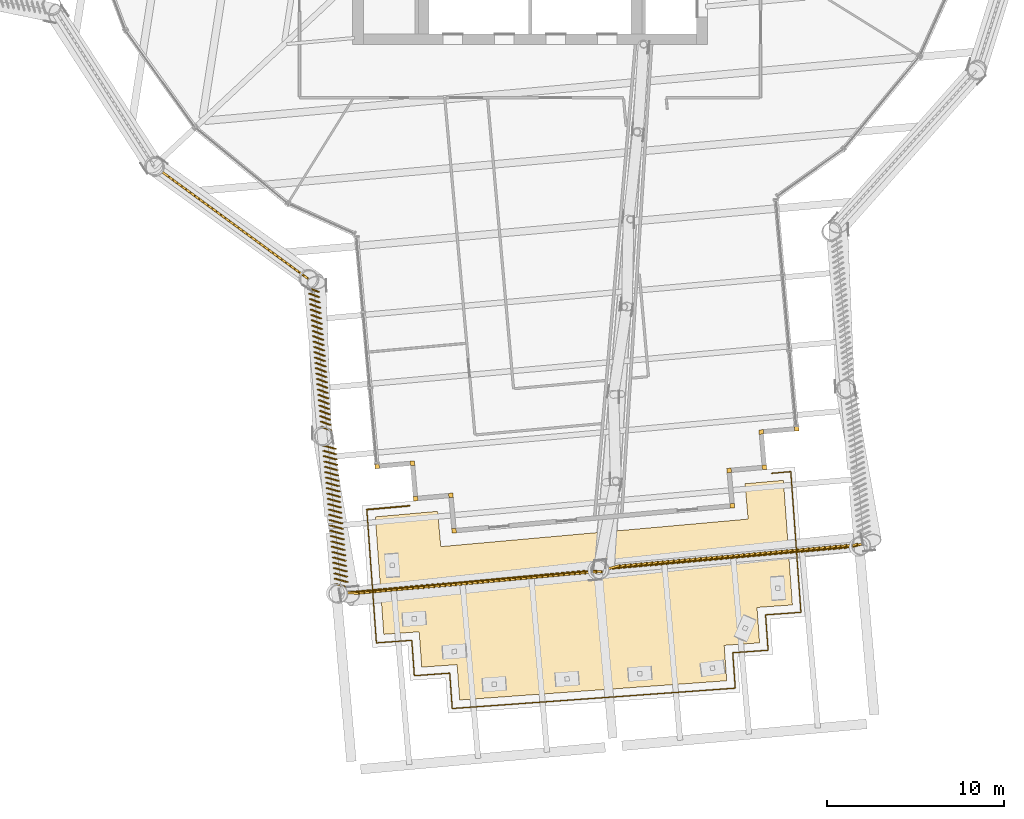
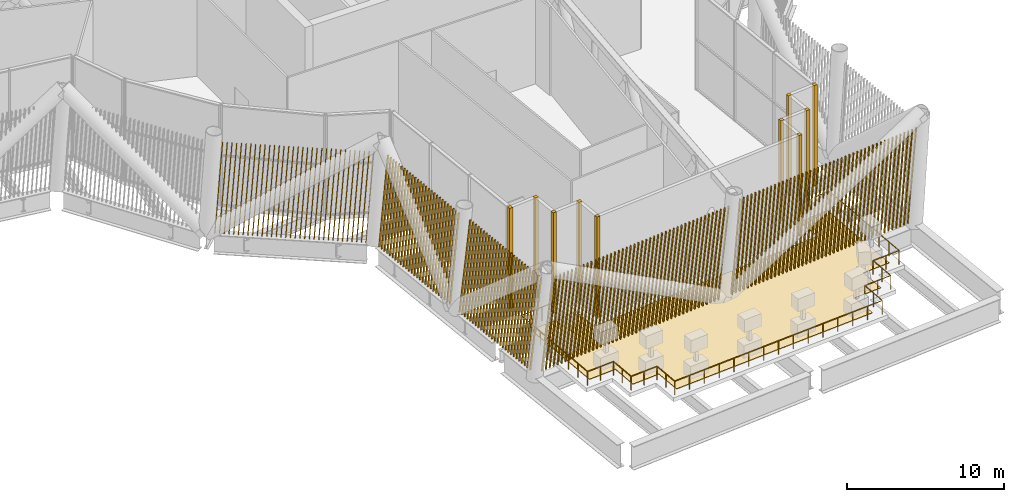
# One storey, part 48 of 55: 15 shading devices, 2 railings, 1 covering.
"""IFC4 building model written with IfcOpenShell, lengths in metres."""

from ifc_helpers import new_model, si_unit, direction, frame, frame_2d, origin, origin_2d, place, context, subcontext, project, spatial, polyline, rectangle, circle, outline, composite_profile, extrude, material, layer, layer_set, type_object, element, save


model = new_model("IFC4")

# Units and contexts
model_context = context("Model", 3, precision=1e-05, world=origin(), true_north=direction((0.0, 1.0)))
body_context = subcontext(model_context, "Body", "Model", "MODEL_VIEW")
ifc_project = project(units=[si_unit("LENGTHUNIT", "METRE"), si_unit("AREAUNIT", "SQUARE_METRE"), si_unit("VOLUMEUNIT", "CUBIC_METRE"), si_unit("PLANEANGLEUNIT", "RADIAN"), si_unit("MASSUNIT", "GRAM", prefix="KILO")], contexts=[model_context])

# Site, building, storey
site_placement = place(None, origin())
site = spatial("IfcSite", under=ifc_project, at=site_placement, CompositionType="ELEMENT")
building_placement = place(site_placement, origin())
building = spatial("IfcBuilding", under=site, at=building_placement, Name="Tarsis Ring Headquarters", CompositionType="ELEMENT")
storey_placement = place(building_placement, frame((0.0, 0.0, 247.199951171875)))
storey = spatial("IfcBuildingStorey", under=building, at=storey_placement, Name="L58", CompositionType="ELEMENT", Elevation=247.199951171875)

# Railings
ifc_material_1 = material(Name="Stainless steel guard", Category="steel")
railing_type = type_object("IfcRailingType", Name="Guard rail with mesh infill 1100", PredefinedType="GUARDRAIL", material=ifc_material_1)
railing_1_placement = place(storey_placement, frame((-9.205322265625, -39.22802734375, 0.0)))
element("IfcRailing", 1, at=railing_1_placement, inside=storey, type_object=railing_type, Name="Terrace guard L58-1.1", PredefinedType="GUARDRAIL", context=body_context, shape_type="SweptSolid", body=[
    extrude(circle(Radius=0.030029296875, at=origin_2d()), frame((0.0, 0.0, 1.070068359375), z_axis=(0.996012820761, 0.089210206146, 0.0), x_axis=(-0.089210206146, 0.996012820761, 0.0)), (0.0, 0.0, 1.0), 2.4248046875),
    extrude(circle(Radius=0.02490234375, at=origin_2d()), origin(), (0.0, 0.0, 1.0), 1.0400390625),
    extrude(circle(Radius=0.02490234375, at=origin_2d()), frame((0.804931640625, 0.072021484375, 0.0)), (0.0, 0.0, 1.0), 1.0400390625),
    extrude(circle(Radius=0.02490234375, at=origin_2d()), frame((1.610107421875, 0.144287109375, 0.0)), (0.0, 0.0, 1.0), 1.0400390625),
    extrude(circle(Radius=0.02490234375, at=origin_2d()), frame((2.4150390625, 0.21630859375, 0.0)), (0.0, 0.0, 1.0), 1.0400390625),
])
railing_2_placement = place(storey_placement, frame((13.617431640625, -37.18310546875, 0.0)))
element("IfcRailing", 2, at=railing_2_placement, inside=storey, type_object=railing_type, Name="Terrace guard L58-1.2", PredefinedType="GUARDRAIL", context=body_context, shape_type="SweptSolid", body=[
    extrude(circle(Radius=0.030029296875, at=origin_2d()), frame((0.0, 0.0, 1.070068359375), z_axis=(0.996013561583, 0.089201934633, 0.0), x_axis=(-0.089201934633, 0.996013561583, 0.0)), (0.0, 0.0, 1.0), 1.08935546875),
    extrude(circle(Radius=0.030029296875, at=origin_2d()), frame((1.0849609375, 0.09716796875, 1.070068359375), z_axis=(0.071857827462, -0.997414884906, 0.0), x_axis=(0.997414884906, 0.071857827462, 0.0)), (0.0, 0.0, 1.0), 7.95361328125),
    extrude(circle(Radius=0.030029296875, at=origin_2d()), frame((1.656494140625, -7.8359375, 1.070068359375), z_axis=(-0.997420761639, -0.071776209502, 0.0), x_axis=(0.071776209502, -0.997420761639, 0.0)), (0.0, 0.0, 1.0), 2.0),
    extrude(circle(Radius=0.030029296875, at=origin_2d()), frame((-0.33837890625, -7.9794921875, 1.070068359375), z_axis=(0.071897647414, -0.997412015316, 0.0), x_axis=(0.997412015316, 0.071897647414, 0.0)), (0.0, 0.0, 1.0), 2.0),
    extrude(circle(Radius=0.030029296875, at=origin_2d()), frame((-0.194580078125, -9.974365234375, 1.070068359375), z_axis=(-0.997412015316, -0.071897647414, 0.0), x_axis=(0.071897647414, -0.997412015316, 0.0)), (0.0, 0.0, 1.0), 2.0),
    extrude(circle(Radius=0.030029296875, at=origin_2d()), frame((-2.189453125, -10.1181640625, 1.070068359375), z_axis=(0.071776209502, -0.997420761639, 0.0), x_axis=(0.997420761639, 0.071776209502, 0.0)), (0.0, 0.0, 1.0), 2.0),
    extrude(circle(Radius=0.030029296875, at=origin_2d()), frame((-2.0458984375, -12.113037109375, 1.070068359375), z_axis=(-0.997416232815, -0.071839115505, 0.0), x_axis=(0.071839115505, -0.997416232815, 0.0)), (0.0, 0.0, 1.0), 15.999755859375),
    extrude(circle(Radius=0.030029296875, at=origin_2d()), frame((-18.00439453125, -13.262451171875, 1.070068359375), z_axis=(-0.071897647414, 0.997412015316, 0.0), x_axis=(-0.997412015316, -0.071897647414, 0.0)), (0.0, 0.0, 1.0), 2.0),
    extrude(circle(Radius=0.030029296875, at=origin_2d()), frame((-18.148193359375, -11.267578125, 1.070068359375), z_axis=(-0.997412015316, -0.071897647414, 0.0), x_axis=(0.071897647414, -0.997412015316, 0.0)), (0.0, 0.0, 1.0), 2.0),
    extrude(circle(Radius=0.030029296875, at=origin_2d()), frame((-20.14306640625, -11.411376953125, 1.070068359375), z_axis=(-0.071776209502, 0.997420761639, 0.0), x_axis=(-0.997420761639, -0.071776209502, 0.0)), (0.0, 0.0, 1.0), 2.0),
    extrude(circle(Radius=0.030029296875, at=origin_2d()), frame((-20.28662109375, -9.41650390625, 1.070068359375), z_axis=(-0.997420761639, -0.071776209502, 0.0), x_axis=(0.071776209502, -0.997420761639, 0.0)), (0.0, 0.0, 1.0), 2.0),
    extrude(circle(Radius=0.030029296875, at=origin_2d()), frame((-22.281494140625, -9.56005859375, 1.070068359375), z_axis=(-0.071836534348, 0.99741641872, 0.0), x_axis=(-0.99741641872, -0.071836534348, 0.0)), (0.0, 0.0, 1.0), 7.53466796875),
    extrude(circle(Radius=0.02490234375, at=origin_2d()), origin(), (0.0, 0.0, 1.0), 1.0400390625),
    extrude(circle(Radius=0.02490234375, at=origin_2d()), frame((1.0849609375, 0.09716796875, 0.0)), (0.0, 0.0, 1.0), 1.0400390625),
    extrude(circle(Radius=0.02490234375, at=origin_2d()), frame((1.16650390625, -1.0361328125, 0.0)), (0.0, 0.0, 1.0), 1.0400390625),
    extrude(circle(Radius=0.02490234375, at=origin_2d()), frame((1.248291015625, -2.16943359375, 0.0)), (0.0, 0.0, 1.0), 1.0400390625),
    extrude(circle(Radius=0.02490234375, at=origin_2d()), frame((1.329833984375, -3.302734375, 0.0)), (0.0, 0.0, 1.0), 1.0400390625),
    extrude(circle(Radius=0.02490234375, at=origin_2d()), frame((1.41162109375, -4.43603515625, 0.0)), (0.0, 0.0, 1.0), 1.0400390625),
    extrude(circle(Radius=0.02490234375, at=origin_2d()), frame((1.4931640625, -5.5693359375, 0.0)), (0.0, 0.0, 1.0), 1.0400390625),
    extrude(circle(Radius=0.02490234375, at=origin_2d()), frame((1.574951171875, -6.70263671875, 0.0)), (0.0, 0.0, 1.0), 1.0400390625),
    extrude(circle(Radius=0.02490234375, at=origin_2d()), frame((1.656494140625, -7.8359375, 0.0)), (0.0, 0.0, 1.0), 1.0400390625),
    extrude(circle(Radius=0.02490234375, at=origin_2d()), frame((0.6591796875, -7.90771484375, 0.0)), (0.0, 0.0, 1.0), 1.0400390625),
    extrude(circle(Radius=0.02490234375, at=origin_2d()), frame((-0.33837890625, -7.9794921875, 0.0)), (0.0, 0.0, 1.0), 1.0400390625),
    extrude(circle(Radius=0.02490234375, at=origin_2d()), frame((-0.2666015625, -8.97705078125, 0.0)), (0.0, 0.0, 1.0), 1.0400390625),
    extrude(circle(Radius=0.02490234375, at=origin_2d()), frame((-0.194580078125, -9.974365234375, 0.0)), (0.0, 0.0, 1.0), 1.0400390625),
    extrude(circle(Radius=0.02490234375, at=origin_2d()), frame((-1.19189453125, -10.04638671875, 0.0)), (0.0, 0.0, 1.0), 1.0400390625),
    extrude(circle(Radius=0.02490234375, at=origin_2d()), frame((-2.189453125, -10.1181640625, 0.0)), (0.0, 0.0, 1.0), 1.0400390625),
    extrude(circle(Radius=0.02490234375, at=origin_2d()), frame((-2.11767578125, -11.11572265625, 0.0)), (0.0, 0.0, 1.0), 1.0400390625),
    extrude(circle(Radius=0.02490234375, at=origin_2d()), frame((-2.0458984375, -12.113037109375, 0.0)), (0.0, 0.0, 1.0), 1.0400390625),
    extrude(circle(Radius=0.02490234375, at=origin_2d()), frame((-3.185791015625, -12.195068359375, 0.0)), (0.0, 0.0, 1.0), 1.0400390625),
    extrude(circle(Radius=0.02490234375, at=origin_2d()), frame((-4.32568359375, -12.27734375, 0.0)), (0.0, 0.0, 1.0), 1.0400390625),
    extrude(circle(Radius=0.02490234375, at=origin_2d()), frame((-5.465576171875, -12.359375, 0.0)), (0.0, 0.0, 1.0), 1.0400390625),
    extrude(circle(Radius=0.02490234375, at=origin_2d()), frame((-6.60546875, -12.44140625, 0.0)), (0.0, 0.0, 1.0), 1.0400390625),
    extrude(circle(Radius=0.02490234375, at=origin_2d()), frame((-7.745361328125, -12.5234375, 0.0)), (0.0, 0.0, 1.0), 1.0400390625),
    extrude(circle(Radius=0.02490234375, at=origin_2d()), frame((-8.88525390625, -12.605712890625, 0.0)), (0.0, 0.0, 1.0), 1.0400390625),
    extrude(circle(Radius=0.02490234375, at=origin_2d()), frame((-10.025146484375, -12.687744140625, 0.0)), (0.0, 0.0, 1.0), 1.0400390625),
    extrude(circle(Radius=0.02490234375, at=origin_2d()), frame((-11.1650390625, -12.769775390625, 0.0)), (0.0, 0.0, 1.0), 1.0400390625),
    extrude(circle(Radius=0.02490234375, at=origin_2d()), frame((-12.304931640625, -12.85205078125, 0.0)), (0.0, 0.0, 1.0), 1.0400390625),
    extrude(circle(Radius=0.02490234375, at=origin_2d()), frame((-13.44482421875, -12.93408203125, 0.0)), (0.0, 0.0, 1.0), 1.0400390625),
    extrude(circle(Radius=0.02490234375, at=origin_2d()), frame((-14.584716796875, -13.01611328125, 0.0)), (0.0, 0.0, 1.0), 1.0400390625),
    extrude(circle(Radius=0.02490234375, at=origin_2d()), frame((-15.724609375, -13.09814453125, 0.0)), (0.0, 0.0, 1.0), 1.0400390625),
    extrude(circle(Radius=0.02490234375, at=origin_2d()), frame((-16.864501953125, -13.180419921875, 0.0)), (0.0, 0.0, 1.0), 1.0400390625),
    extrude(circle(Radius=0.02490234375, at=origin_2d()), frame((-18.00439453125, -13.262451171875, 0.0)), (0.0, 0.0, 1.0), 1.0400390625),
    extrude(circle(Radius=0.02490234375, at=origin_2d()), frame((-18.076171875, -12.26513671875, 0.0)), (0.0, 0.0, 1.0), 1.0400390625),
    extrude(circle(Radius=0.02490234375, at=origin_2d()), frame((-18.148193359375, -11.267578125, 0.0)), (0.0, 0.0, 1.0), 1.0400390625),
    extrude(circle(Radius=0.02490234375, at=origin_2d()), frame((-19.1455078125, -11.33935546875, 0.0)), (0.0, 0.0, 1.0), 1.0400390625),
    extrude(circle(Radius=0.02490234375, at=origin_2d()), frame((-20.14306640625, -11.411376953125, 0.0)), (0.0, 0.0, 1.0), 1.0400390625),
    extrude(circle(Radius=0.02490234375, at=origin_2d()), frame((-20.21484375, -10.4140625, 0.0)), (0.0, 0.0, 1.0), 1.0400390625),
    extrude(circle(Radius=0.02490234375, at=origin_2d()), frame((-20.28662109375, -9.41650390625, 0.0)), (0.0, 0.0, 1.0), 1.0400390625),
    extrude(circle(Radius=0.02490234375, at=origin_2d()), frame((-21.2841796875, -9.48828125, 0.0)), (0.0, 0.0, 1.0), 1.0400390625),
    extrude(circle(Radius=0.02490234375, at=origin_2d()), frame((-22.281494140625, -9.56005859375, 0.0)), (0.0, 0.0, 1.0), 1.0400390625),
    extrude(circle(Radius=0.02490234375, at=origin_2d()), frame((-22.35888671875, -8.486572265625, 0.0)), (0.0, 0.0, 1.0), 1.0400390625),
    extrude(circle(Radius=0.02490234375, at=origin_2d()), frame((-22.43603515625, -7.412841796875, 0.0)), (0.0, 0.0, 1.0), 1.0400390625),
    extrude(circle(Radius=0.02490234375, at=origin_2d()), frame((-22.513427734375, -6.33935546875, 0.0)), (0.0, 0.0, 1.0), 1.0400390625),
    extrude(circle(Radius=0.02490234375, at=origin_2d()), frame((-22.5908203125, -5.265625, 0.0)), (0.0, 0.0, 1.0), 1.0400390625),
    extrude(circle(Radius=0.02490234375, at=origin_2d()), frame((-22.668212890625, -4.192138671875, 0.0)), (0.0, 0.0, 1.0), 1.0400390625),
    extrude(circle(Radius=0.02490234375, at=origin_2d()), frame((-22.745361328125, -3.118408203125, 0.0)), (0.0, 0.0, 1.0), 1.0400390625),
    extrude(circle(Radius=0.02490234375, at=origin_2d()), frame((-22.82275390625, -2.044921875, 0.0)), (0.0, 0.0, 1.0), 1.0400390625),
])

# Covering
ifc_material_2 = material(Name="Porcelain terrace paving")
ifc_layer = layer(ifc_material_2, 0.0400390625)
ifc_layer_set = layer_set([ifc_layer], Name="Terrace paving 40")
covering_type = type_object("IfcCoveringType", Name="Terrace paving 40", PredefinedType="FLOORING", material=ifc_layer_set)
covering_placement = place(storey_placement, origin())
element("IfcCovering", 3, at=covering_placement, inside=storey, type_object=covering_type, Name="Terrace paving L58-1", PredefinedType="FLOORING", context=body_context, shape_type="SweptSolid", body=[
    extrude(outline(polyline([(-8.724853515625, -39.63671875), (-5.211669921875, -39.322021484375), (-5.033203125, -41.31396484375), (12.29736328125, -39.76123046875), (12.118896484375, -37.769287109375), (14.28662109375, -37.574951171875), (14.792724609375, -44.6025390625), (12.7978515625, -44.74609375), (12.941650390625, -46.740966796875), (10.94677734375, -46.884765625), (11.09033203125, -48.879638671875), (-3.970458984375, -49.96435546875), (-4.1142578125, -47.969482421875), (-6.109130859375, -48.11328125), (-6.252685546875, -46.118408203125), (-8.24755859375, -46.26220703125), (-8.724853515625, -39.63671875)])), origin(), (0.0, 0.0, 1.0), 0.0400390625),
])

# Shading devices
ifc_material_3 = material(Name="Terracotta baguette", Category="masonry")
shading_device_type_1 = type_object("IfcShadingDeviceType", Name="Terracotta baguette screen", PredefinedType="USERDEFINED", material=ifc_material_3)
shading_device_1_placement = place(storey_placement, frame((-20.7998046875, -20.15087890625, 0.0), z_axis=(0.0, 0.0, 1.0), x_axis=(0.807020612117, -0.590530918176, 0.0)))
element("IfcShadingDevice", 4, at=shading_device_1_placement, inside=storey, type_object=shading_device_type_1, Name="Baguette screen L58-00", ObjectType="Terracotta baguette screen", PredefinedType="USERDEFINED", context=body_context, shape_type="SweptSolid", body=[
    extrude(composite_profile([rectangle(XDim=0.06005859375, YDim=0.1201171875, at=frame_2d((0.030029296875, 0.0))), rectangle(XDim=0.06005859375, YDim=0.1201171875, at=frame_2d((0.33349609375, 0.0))), rectangle(XDim=0.06005859375, YDim=0.1201171875, at=frame_2d((0.636962890625, 0.0))), rectangle(XDim=0.06005859375, YDim=0.1201171875, at=frame_2d((0.9404296875, 0.0))), rectangle(XDim=0.06005859375, YDim=0.1201171875, at=frame_2d((1.243896484375, 0.0))), rectangle(XDim=0.06005859375, YDim=0.1201171875, at=frame_2d((1.54736328125, 0.0))), rectangle(XDim=0.06005859375, YDim=0.1201171875, at=frame_2d((1.85107421875, 0.0))), rectangle(XDim=0.06005859375, YDim=0.1201171875, at=frame_2d((2.154541015625, 0.0))), rectangle(XDim=0.06005859375, YDim=0.1201171875, at=frame_2d((2.4580078125, 0.0))), rectangle(XDim=0.06005859375, YDim=0.1201171875, at=frame_2d((2.761474609375, 0.0))), rectangle(XDim=0.06005859375, YDim=0.1201171875, at=frame_2d((3.06494140625, 0.0))), rectangle(XDim=0.06005859375, YDim=0.1201171875, at=frame_2d((3.368408203125, 0.0))), rectangle(XDim=0.06005859375, YDim=0.1201171875, at=frame_2d((3.671875, 0.0))), rectangle(XDim=0.06005859375, YDim=0.1201171875, at=frame_2d((3.975341796875, 0.0))), rectangle(XDim=0.06005859375, YDim=0.1201171875, at=frame_2d((4.27880859375, 0.0))), rectangle(XDim=0.06005859375, YDim=0.1201171875, at=frame_2d((4.582275390625, 0.0))), rectangle(XDim=0.06005859375, YDim=0.1201171875, at=frame_2d((4.8857421875, 0.0))), rectangle(XDim=0.06005859375, YDim=0.1201171875, at=frame_2d((5.189453125, 0.0))), rectangle(XDim=0.06005859375, YDim=0.1201171875, at=frame_2d((5.492919921875, 0.0))), rectangle(XDim=0.06005859375, YDim=0.1201171875, at=frame_2d((5.79638671875, 0.0))), rectangle(XDim=0.06005859375, YDim=0.1201171875, at=frame_2d((6.099853515625, 0.0))), rectangle(XDim=0.06005859375, YDim=0.1201171875, at=frame_2d((6.4033203125, 0.0))), rectangle(XDim=0.06005859375, YDim=0.1201171875, at=frame_2d((6.706787109375, 0.0))), rectangle(XDim=0.06005859375, YDim=0.1201171875, at=frame_2d((7.01025390625, 0.0))), rectangle(XDim=0.06005859375, YDim=0.1201171875, at=frame_2d((7.313720703125, 0.0))), rectangle(XDim=0.06005859375, YDim=0.1201171875, at=frame_2d((7.6171875, 0.0))), rectangle(XDim=0.06005859375, YDim=0.1201171875, at=frame_2d((7.920654296875, 0.0))), rectangle(XDim=0.06005859375, YDim=0.1201171875, at=frame_2d((8.224365234375, 0.0))), rectangle(XDim=0.06005859375, YDim=0.1201171875, at=frame_2d((8.52783203125, 0.0))), rectangle(XDim=0.06005859375, YDim=0.1201171875, at=frame_2d((8.831298828125, 0.0))), rectangle(XDim=0.06005859375, YDim=0.1201171875, at=frame_2d((9.134765625, 0.0))), rectangle(XDim=0.06005859375, YDim=0.1201171875, at=frame_2d((9.438232421875, 0.0))), rectangle(XDim=0.06005859375, YDim=0.1201171875, at=frame_2d((9.74169921875, 0.0)))]), origin(), (0.070310542503, 0.000613038112, 0.997524962995), 7.08544921875),
])
shading_device_2_placement = place(storey_placement, frame((-12.465576171875, -26.714599609375, 0.0), z_axis=(0.0, 0.0, 1.0), x_axis=(0.089226681497, -0.996014459171, 0.0)))
element("IfcShadingDevice", 5, at=shading_device_2_placement, inside=storey, type_object=shading_device_type_1, Name="Baguette screen L58-01", ObjectType="Terracotta baguette screen", PredefinedType="USERDEFINED", context=body_context, shape_type="SweptSolid", body=[
    extrude(composite_profile([rectangle(XDim=0.06005859375, YDim=0.1201171875, at=frame_2d((0.030029296875, 0.0))), rectangle(XDim=0.06005859375, YDim=0.1201171875, at=frame_2d((0.33154296875, 0.0))), rectangle(XDim=0.06005859375, YDim=0.1201171875, at=frame_2d((0.63330078125, 0.0))), rectangle(XDim=0.06005859375, YDim=0.1201171875, at=frame_2d((0.934814453125, 0.0))), rectangle(XDim=0.06005859375, YDim=0.1201171875, at=frame_2d((1.236572265625, 0.0))), rectangle(XDim=0.06005859375, YDim=0.1201171875, at=frame_2d((1.5380859375, 0.0))), rectangle(XDim=0.06005859375, YDim=0.1201171875, at=frame_2d((1.83984375, 0.0))), rectangle(XDim=0.06005859375, YDim=0.1201171875, at=frame_2d((2.141357421875, 0.0))), rectangle(XDim=0.06005859375, YDim=0.1201171875, at=frame_2d((2.443115234375, 0.0))), rectangle(XDim=0.06005859375, YDim=0.1201171875, at=frame_2d((2.74462890625, 0.0))), rectangle(XDim=0.06005859375, YDim=0.1201171875, at=frame_2d((3.04638671875, 0.0))), rectangle(XDim=0.06005859375, YDim=0.1201171875, at=frame_2d((3.347900390625, 0.0))), rectangle(XDim=0.06005859375, YDim=0.1201171875, at=frame_2d((3.649658203125, 0.0))), rectangle(XDim=0.06005859375, YDim=0.1201171875, at=frame_2d((3.951171875, 0.0))), rectangle(XDim=0.06005859375, YDim=0.1201171875, at=frame_2d((4.252685546875, 0.0))), rectangle(XDim=0.06005859375, YDim=0.1201171875, at=frame_2d((4.554443359375, 0.0))), rectangle(XDim=0.06005859375, YDim=0.1201171875, at=frame_2d((4.85595703125, 0.0))), rectangle(XDim=0.06005859375, YDim=0.1201171875, at=frame_2d((5.15771484375, 0.0))), rectangle(XDim=0.06005859375, YDim=0.1201171875, at=frame_2d((5.459228515625, 0.0))), rectangle(XDim=0.06005859375, YDim=0.1201171875, at=frame_2d((5.760986328125, 0.0))), rectangle(XDim=0.06005859375, YDim=0.1201171875, at=frame_2d((6.0625, 0.0))), rectangle(XDim=0.06005859375, YDim=0.1201171875, at=frame_2d((6.3642578125, 0.0))), rectangle(XDim=0.06005859375, YDim=0.1201171875, at=frame_2d((6.665771484375, 0.0))), rectangle(XDim=0.06005859375, YDim=0.1201171875, at=frame_2d((6.967529296875, 0.0))), rectangle(XDim=0.06005859375, YDim=0.1201171875, at=frame_2d((7.26904296875, 0.0))), rectangle(XDim=0.06005859375, YDim=0.1201171875, at=frame_2d((7.57080078125, 0.0))), rectangle(XDim=0.06005859375, YDim=0.1201171875, at=frame_2d((7.872314453125, 0.0)))]), origin(), (0.035790982835, 0.072790482476, 0.996704846586), 7.09130859375),
])
shading_device_3_placement = place(storey_placement, frame((-11.671142578125, -35.581298828125, 0.0), z_axis=(0.0, 0.0, 1.0), x_axis=(0.089226681497, -0.996014459171, 0.0)))
element("IfcShadingDevice", 6, at=shading_device_3_placement, inside=storey, type_object=shading_device_type_1, Name="Baguette screen L58-02", ObjectType="Terracotta baguette screen", PredefinedType="USERDEFINED", context=body_context, shape_type="SweptSolid", body=[
    extrude(composite_profile([rectangle(XDim=0.06005859375, YDim=0.1201171875, at=frame_2d((0.030029296875, 0.0))), rectangle(XDim=0.06005859375, YDim=0.1201171875, at=frame_2d((0.33154296875, 0.0))), rectangle(XDim=0.06005859375, YDim=0.1201171875, at=frame_2d((0.63330078125, 0.0))), rectangle(XDim=0.06005859375, YDim=0.1201171875, at=frame_2d((0.934814453125, 0.0))), rectangle(XDim=0.06005859375, YDim=0.1201171875, at=frame_2d((1.236572265625, 0.0))), rectangle(XDim=0.06005859375, YDim=0.1201171875, at=frame_2d((1.5380859375, 0.0))), rectangle(XDim=0.06005859375, YDim=0.1201171875, at=frame_2d((1.83984375, 0.0))), rectangle(XDim=0.06005859375, YDim=0.1201171875, at=frame_2d((2.141357421875, 0.0))), rectangle(XDim=0.06005859375, YDim=0.1201171875, at=frame_2d((2.443115234375, 0.0))), rectangle(XDim=0.06005859375, YDim=0.1201171875, at=frame_2d((2.74462890625, 0.0))), rectangle(XDim=0.06005859375, YDim=0.1201171875, at=frame_2d((3.04638671875, 0.0))), rectangle(XDim=0.06005859375, YDim=0.1201171875, at=frame_2d((3.347900390625, 0.0))), rectangle(XDim=0.06005859375, YDim=0.1201171875, at=frame_2d((3.649658203125, 0.0))), rectangle(XDim=0.06005859375, YDim=0.1201171875, at=frame_2d((3.951171875, 0.0))), rectangle(XDim=0.06005859375, YDim=0.1201171875, at=frame_2d((4.252685546875, 0.0))), rectangle(XDim=0.06005859375, YDim=0.1201171875, at=frame_2d((4.554443359375, 0.0))), rectangle(XDim=0.06005859375, YDim=0.1201171875, at=frame_2d((4.85595703125, 0.0))), rectangle(XDim=0.06005859375, YDim=0.1201171875, at=frame_2d((5.15771484375, 0.0))), rectangle(XDim=0.06005859375, YDim=0.1201171875, at=frame_2d((5.459228515625, 0.0))), rectangle(XDim=0.06005859375, YDim=0.1201171875, at=frame_2d((5.760986328125, 0.0))), rectangle(XDim=0.06005859375, YDim=0.1201171875, at=frame_2d((6.0625, 0.0))), rectangle(XDim=0.06005859375, YDim=0.1201171875, at=frame_2d((6.3642578125, 0.0))), rectangle(XDim=0.06005859375, YDim=0.1201171875, at=frame_2d((6.665771484375, 0.0))), rectangle(XDim=0.06005859375, YDim=0.1201171875, at=frame_2d((6.967529296875, 0.0))), rectangle(XDim=0.06005859375, YDim=0.1201171875, at=frame_2d((7.26904296875, 0.0))), rectangle(XDim=0.06005859375, YDim=0.1201171875, at=frame_2d((7.57080078125, 0.0))), rectangle(XDim=0.06005859375, YDim=0.1201171875, at=frame_2d((7.872314453125, 0.0)))]), origin(), (0.035534613536, 0.094527324798, 0.994887871123), 7.104248046875),
])
shading_device_4_placement = place(storey_placement, frame((-10.42333984375, -43.9052734375, 0.0), z_axis=(0.0, 0.0, 1.0), x_axis=(0.996001769129, 0.089234851835, 0.0)))
element("IfcShadingDevice", 7, at=shading_device_4_placement, inside=storey, type_object=shading_device_type_1, Name="Baguette screen L58-03", ObjectType="Terracotta baguette screen", PredefinedType="USERDEFINED", context=body_context, shape_type="SweptSolid", body=[
    extrude(composite_profile([rectangle(XDim=0.06005859375, YDim=0.1201171875, at=frame_2d((0.030029296875, 0.0))), rectangle(XDim=0.06005859375, YDim=0.1201171875, at=frame_2d((0.33544921875, 0.0))), rectangle(XDim=0.06005859375, YDim=0.1201171875, at=frame_2d((0.640625, 0.0))), rectangle(XDim=0.06005859375, YDim=0.1201171875, at=frame_2d((0.946044921875, 0.0))), rectangle(XDim=0.06005859375, YDim=0.1201171875, at=frame_2d((1.25146484375, 0.0))), rectangle(XDim=0.06005859375, YDim=0.1201171875, at=frame_2d((1.556640625, 0.0))), rectangle(XDim=0.06005859375, YDim=0.1201171875, at=frame_2d((1.862060546875, 0.0))), rectangle(XDim=0.06005859375, YDim=0.1201171875, at=frame_2d((2.16748046875, 0.0))), rectangle(XDim=0.06005859375, YDim=0.1201171875, at=frame_2d((2.47265625, 0.0))), rectangle(XDim=0.06005859375, YDim=0.1201171875, at=frame_2d((2.778076171875, 0.0))), rectangle(XDim=0.06005859375, YDim=0.1201171875, at=frame_2d((3.08349609375, 0.0))), rectangle(XDim=0.06005859375, YDim=0.1201171875, at=frame_2d((3.388671875, 0.0))), rectangle(XDim=0.06005859375, YDim=0.1201171875, at=frame_2d((3.694091796875, 0.0))), rectangle(XDim=0.06005859375, YDim=0.1201171875, at=frame_2d((3.99951171875, 0.0))), rectangle(XDim=0.06005859375, YDim=0.1201171875, at=frame_2d((4.3046875, 0.0))), rectangle(XDim=0.06005859375, YDim=0.1201171875, at=frame_2d((4.610107421875, 0.0))), rectangle(XDim=0.06005859375, YDim=0.1201171875, at=frame_2d((4.91552734375, 0.0))), rectangle(XDim=0.06005859375, YDim=0.1201171875, at=frame_2d((5.220703125, 0.0))), rectangle(XDim=0.06005859375, YDim=0.1201171875, at=frame_2d((5.526123046875, 0.0))), rectangle(XDim=0.06005859375, YDim=0.1201171875, at=frame_2d((5.83154296875, 0.0))), rectangle(XDim=0.06005859375, YDim=0.1201171875, at=frame_2d((6.13671875, 0.0))), rectangle(XDim=0.06005859375, YDim=0.1201171875, at=frame_2d((6.442138671875, 0.0))), rectangle(XDim=0.06005859375, YDim=0.1201171875, at=frame_2d((6.74755859375, 0.0))), rectangle(XDim=0.06005859375, YDim=0.1201171875, at=frame_2d((7.052734375, 0.0))), rectangle(XDim=0.06005859375, YDim=0.1201171875, at=frame_2d((7.358154296875, 0.0))), rectangle(XDim=0.06005859375, YDim=0.1201171875, at=frame_2d((7.66357421875, 0.0))), rectangle(XDim=0.06005859375, YDim=0.1201171875, at=frame_2d((7.96875, 0.0))), rectangle(XDim=0.06005859375, YDim=0.1201171875, at=frame_2d((8.274169921875, 0.0))), rectangle(XDim=0.06005859375, YDim=0.1201171875, at=frame_2d((8.57958984375, 0.0))), rectangle(XDim=0.06005859375, YDim=0.1201171875, at=frame_2d((8.884765625, 0.0))), rectangle(XDim=0.06005859375, YDim=0.1201171875, at=frame_2d((9.190185546875, 0.0))), rectangle(XDim=0.06005859375, YDim=0.1201171875, at=frame_2d((9.49560546875, 0.0))), rectangle(XDim=0.06005859375, YDim=0.1201171875, at=frame_2d((9.80078125, 0.0))), rectangle(XDim=0.06005859375, YDim=0.1201171875, at=frame_2d((10.106201171875, 0.0))), rectangle(XDim=0.06005859375, YDim=0.1201171875, at=frame_2d((10.41162109375, 0.0))), rectangle(XDim=0.06005859375, YDim=0.1201171875, at=frame_2d((10.716796875, 0.0))), rectangle(XDim=0.06005859375, YDim=0.1201171875, at=frame_2d((11.022216796875, 0.0))), rectangle(XDim=0.06005859375, YDim=0.1201171875, at=frame_2d((11.32763671875, 0.0))), rectangle(XDim=0.06005859375, YDim=0.1201171875, at=frame_2d((11.6328125, 0.0))), rectangle(XDim=0.06005859375, YDim=0.1201171875, at=frame_2d((11.938232421875, 0.0))), rectangle(XDim=0.06005859375, YDim=0.1201171875, at=frame_2d((12.24365234375, 0.0))), rectangle(XDim=0.06005859375, YDim=0.1201171875, at=frame_2d((12.548828125, 0.0))), rectangle(XDim=0.06005859375, YDim=0.1201171875, at=frame_2d((12.854248046875, 0.0))), rectangle(XDim=0.06005859375, YDim=0.1201171875, at=frame_2d((13.15966796875, 0.0))), rectangle(XDim=0.06005859375, YDim=0.1201171875, at=frame_2d((13.46484375, 0.0))), rectangle(XDim=0.06005859375, YDim=0.1201171875, at=frame_2d((13.770263671875, 0.0)))]), origin(), (0.105239369045, -0.017250486642, 0.994297287492), 7.1083984375),
])
shading_device_5_placement = place(storey_placement, frame((4.317626953125, -42.584716796875, 0.0), z_axis=(0.0, 0.0, 1.0), x_axis=(0.996001769129, 0.089252543123, 0.0)))
element("IfcShadingDevice", 8, at=shading_device_5_placement, inside=storey, type_object=shading_device_type_1, Name="Baguette screen L58-04", ObjectType="Terracotta baguette screen", PredefinedType="USERDEFINED", context=body_context, shape_type="SweptSolid", body=[
    extrude(composite_profile([rectangle(XDim=0.06005859375, YDim=0.1201171875, at=frame_2d((0.030029296875, 0.0))), rectangle(XDim=0.06005859375, YDim=0.1201171875, at=frame_2d((0.33544921875, 0.0))), rectangle(XDim=0.06005859375, YDim=0.1201171875, at=frame_2d((0.640625, 0.0))), rectangle(XDim=0.06005859375, YDim=0.1201171875, at=frame_2d((0.946044921875, 0.0))), rectangle(XDim=0.06005859375, YDim=0.1201171875, at=frame_2d((1.25146484375, 0.0))), rectangle(XDim=0.06005859375, YDim=0.1201171875, at=frame_2d((1.556640625, 0.0))), rectangle(XDim=0.06005859375, YDim=0.1201171875, at=frame_2d((1.862060546875, 0.0))), rectangle(XDim=0.06005859375, YDim=0.1201171875, at=frame_2d((2.16748046875, 0.0))), rectangle(XDim=0.06005859375, YDim=0.1201171875, at=frame_2d((2.47265625, 0.0))), rectangle(XDim=0.06005859375, YDim=0.1201171875, at=frame_2d((2.778076171875, 0.0))), rectangle(XDim=0.06005859375, YDim=0.1201171875, at=frame_2d((3.08349609375, 0.0))), rectangle(XDim=0.06005859375, YDim=0.1201171875, at=frame_2d((3.388671875, 0.0))), rectangle(XDim=0.06005859375, YDim=0.1201171875, at=frame_2d((3.694091796875, 0.0))), rectangle(XDim=0.06005859375, YDim=0.1201171875, at=frame_2d((3.99951171875, 0.0))), rectangle(XDim=0.06005859375, YDim=0.1201171875, at=frame_2d((4.3046875, 0.0))), rectangle(XDim=0.06005859375, YDim=0.1201171875, at=frame_2d((4.610107421875, 0.0))), rectangle(XDim=0.06005859375, YDim=0.1201171875, at=frame_2d((4.91552734375, 0.0))), rectangle(XDim=0.06005859375, YDim=0.1201171875, at=frame_2d((5.220703125, 0.0))), rectangle(XDim=0.06005859375, YDim=0.1201171875, at=frame_2d((5.526123046875, 0.0))), rectangle(XDim=0.06005859375, YDim=0.1201171875, at=frame_2d((5.83154296875, 0.0))), rectangle(XDim=0.06005859375, YDim=0.1201171875, at=frame_2d((6.13671875, 0.0))), rectangle(XDim=0.06005859375, YDim=0.1201171875, at=frame_2d((6.442138671875, 0.0))), rectangle(XDim=0.06005859375, YDim=0.1201171875, at=frame_2d((6.74755859375, 0.0))), rectangle(XDim=0.06005859375, YDim=0.1201171875, at=frame_2d((7.052734375, 0.0))), rectangle(XDim=0.06005859375, YDim=0.1201171875, at=frame_2d((7.358154296875, 0.0))), rectangle(XDim=0.06005859375, YDim=0.1201171875, at=frame_2d((7.66357421875, 0.0))), rectangle(XDim=0.06005859375, YDim=0.1201171875, at=frame_2d((7.96875, 0.0))), rectangle(XDim=0.06005859375, YDim=0.1201171875, at=frame_2d((8.274169921875, 0.0))), rectangle(XDim=0.06005859375, YDim=0.1201171875, at=frame_2d((8.57958984375, 0.0))), rectangle(XDim=0.06005859375, YDim=0.1201171875, at=frame_2d((8.884765625, 0.0))), rectangle(XDim=0.06005859375, YDim=0.1201171875, at=frame_2d((9.190185546875, 0.0))), rectangle(XDim=0.06005859375, YDim=0.1201171875, at=frame_2d((9.49560546875, 0.0))), rectangle(XDim=0.06005859375, YDim=0.1201171875, at=frame_2d((9.80078125, 0.0))), rectangle(XDim=0.06005859375, YDim=0.1201171875, at=frame_2d((10.106201171875, 0.0))), rectangle(XDim=0.06005859375, YDim=0.1201171875, at=frame_2d((10.41162109375, 0.0))), rectangle(XDim=0.06005859375, YDim=0.1201171875, at=frame_2d((10.716796875, 0.0))), rectangle(XDim=0.06005859375, YDim=0.1201171875, at=frame_2d((11.022216796875, 0.0))), rectangle(XDim=0.06005859375, YDim=0.1201171875, at=frame_2d((11.32763671875, 0.0))), rectangle(XDim=0.06005859375, YDim=0.1201171875, at=frame_2d((11.6328125, 0.0))), rectangle(XDim=0.06005859375, YDim=0.1201171875, at=frame_2d((11.938232421875, 0.0))), rectangle(XDim=0.06005859375, YDim=0.1201171875, at=frame_2d((12.24365234375, 0.0))), rectangle(XDim=0.06005859375, YDim=0.1201171875, at=frame_2d((12.548828125, 0.0))), rectangle(XDim=0.06005859375, YDim=0.1201171875, at=frame_2d((12.854248046875, 0.0))), rectangle(XDim=0.06005859375, YDim=0.1201171875, at=frame_2d((13.15966796875, 0.0))), rectangle(XDim=0.06005859375, YDim=0.1201171875, at=frame_2d((13.46484375, 0.0))), rectangle(XDim=0.06005859375, YDim=0.1201171875, at=frame_2d((13.770263671875, 0.0)))]), origin(), (0.104922527776, 0.019084026288, 0.994297270994), 7.1083984375),
])
shading_device_type_2 = type_object("IfcShadingDeviceType", Name="Terracotta corner baguette 250x250", PredefinedType="USERDEFINED", material=ifc_material_3)
for number, where, z_axis, x_axis, name in (
    (9, (-8.6259765625, -36.79150390625, 0.0), (0.0, 0.0, 1.0), (0.089241992749, -0.996009973208, 0.0), "Corner baguette L58-07"),
    (10, (-6.634033203125, -36.613037109375, 0.0), (0.0, 0.0, 1.0), (0.99601001682, 0.089241506007, 0.0), "Corner baguette L58-08"),
    (11, (-6.45556640625, -38.605224609375, 0.0), (0.0, 0.0, 1.0), (0.089241992749, -0.996009973208, 0.0), "Corner baguette L58-09"),
    (12, (-4.463623046875, -38.4267578125, 0.0), (0.0, 0.0, 1.0), (0.996009973208, 0.089241992749, 0.0), "Corner baguette L58-10"),
    (13, (-4.28515625, -40.418701171875, 0.0), (0.0, 0.0, 1.0), (0.089241992749, -0.996009973208, 0.0), "Corner baguette L58-11"),
    (14, (11.402099609375, -39.01318359375, 0.0), (0.0, 0.0, 1.0), (0.996009973208, 0.089241992749, 0.0), "Corner baguette L58-12"),
    (15, (11.2236328125, -37.02099609375, 0.0), (0.0, 0.0, 1.0), (-0.089241992749, 0.996009973208, 0.0), "Corner baguette L58-13"),
    (16, (13.215576171875, -36.842529296875, 0.0), (0.0, 0.0, 1.0), (0.996009968536, 0.0892420449, 0.0), "Corner baguette L58-14"),
    (17, (13.037109375, -34.8505859375, 0.0), (0.0, 0.0, 1.0), (-0.089241540774, 0.996010013705, 0.0), "Corner baguette L58-15"),
    (18, (15.029296875, -34.672119140625, 0.0), (0.0, 0.0, 1.0), (0.996009928039, 0.089242496875, 0.0), "Corner baguette L58-16"),
):
    element("IfcShadingDevice", number, at=place(storey_placement, frame(where, z_axis=z_axis, x_axis=x_axis)), inside=storey, type_object=shading_device_type_2, Name=name, ObjectType="Terracotta corner baguette", PredefinedType="USERDEFINED", context=body_context, shape_type="SweptSolid", body=[
        extrude(rectangle(XDim=0.25, YDim=0.25, at=origin_2d()), origin(), (0.0, 0.0, 1.0), 7.840087890625),
    ])

save(model, "model.ifc")
